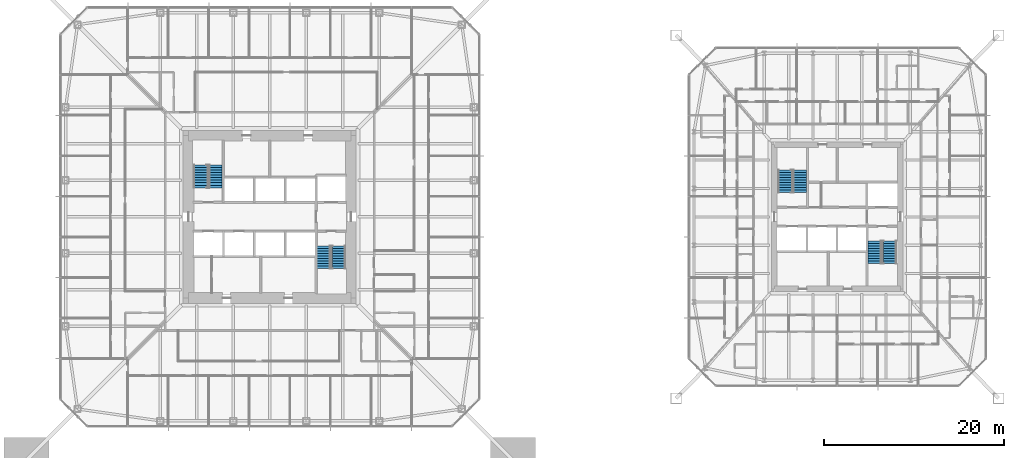
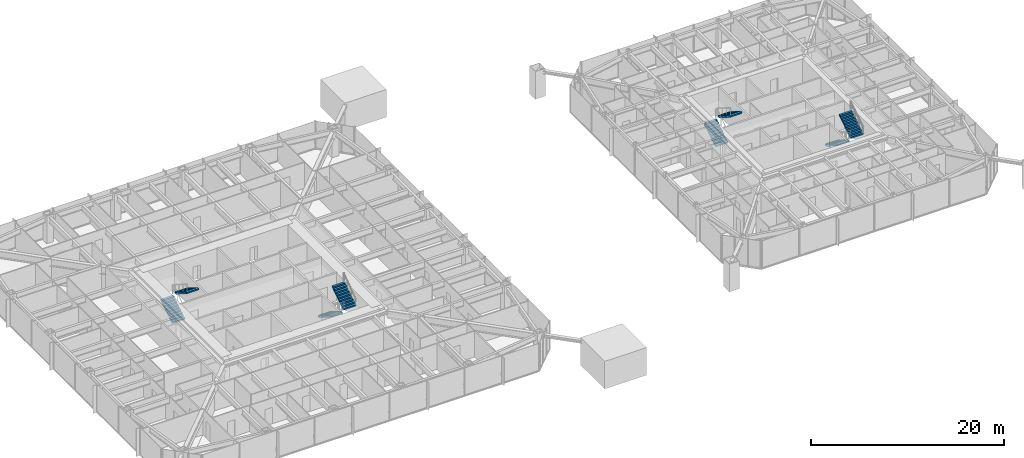
# One storey, part 22 of 26: 8 stair flights, 4 elements without a shape of their own.
"""IFC4 building model written with IfcOpenShell, lengths in metres."""

from ifc_helpers import new_model, si_unit, direction, frame, origin, place, context, subcontext, project, spatial, polyline, outline, extrude, material, constituent, constituent_set, type_object, element, aggregate, save


model = new_model("IFC4")

# Units and contexts
model_context = context("Model", 3, precision=1e-05, world=origin(), true_north=direction((0.0, 1.0)))
body_context = subcontext(model_context, "Body", "Model", "MODEL_VIEW")
ifc_project = project(units=[si_unit("LENGTHUNIT", "METRE"), si_unit("AREAUNIT", "SQUARE_METRE"), si_unit("VOLUMEUNIT", "CUBIC_METRE"), si_unit("PLANEANGLEUNIT", "RADIAN"), si_unit("MASSUNIT", "GRAM", prefix="KILO")], contexts=[model_context])

# Site, building, storey
site_placement = place(None, origin())
site = spatial("IfcSite", under=ifc_project, at=site_placement, CompositionType="ELEMENT")
building_placement = place(site_placement, origin())
building = spatial("IfcBuilding", under=site, at=building_placement, Name="Iwan Alto Co-Living Towers", CompositionType="ELEMENT")
storey_placement = place(building_placement, frame((0.0, 0.0, 22.0)))
storey = spatial("IfcBuildingStorey", under=building, at=storey_placement, Name="L05", CompositionType="ELEMENT", Elevation=22.0)

# Stair, stair flights
ifc_material_1 = material(Name="Steel ASTM A36", Category="steel")
ifc_constituent_1 = constituent(ifc_material_1, Name="Stringers", Category="LoadBearing")
ifc_material_2 = material(Name="Concrete f'c 30 MPa", Category="concrete")
ifc_constituent_2 = constituent(ifc_material_2, Name="Tread fill", Category="Finish")
ifc_constituent_set_1 = constituent_set(constituents=[ifc_constituent_1, ifc_constituent_2], Name="STAIR 3500 TWO-FLIGHT T1 CORE")
stair_type_1 = type_object("IfcStairType", Name="STAIR 3500 TWO-FLIGHT T1 CORE", PredefinedType="HALF_TURN_STAIR", material=ifc_constituent_set_1)
stair_1_placement = place(storey_placement, origin())
stair_1 = element("IfcStair", 1, at=stair_1_placement, inside=storey, type_object=stair_type_1, Name="Stair T1-S1 L05 to L06", PredefinedType="HALF_TURN_STAIR")
ifc_constituent_3 = constituent(ifc_material_1, Name="Stringers", Category="LoadBearing")
ifc_constituent_4 = constituent(ifc_material_2, Name="Tread fill", Category="Finish")
ifc_constituent_set_2 = constituent_set(constituents=[ifc_constituent_3, ifc_constituent_4], Name="STAIR FLIGHT 10 RISERS 280 GOING")
stair_flight_type = type_object("IfcStairFlightType", Name="STAIR FLIGHT 10 RISERS 280 GOING", PredefinedType="STRAIGHT", material=ifc_constituent_set_2)
stair_flight_1_placement = place(storey_placement, frame((-7.68994140625, 3.219970703125, 0.0), z_axis=(0.0, 0.0, 1.0), x_axis=(0.0, 1.0, 0.0)))
stair_flight_1 = element("IfcStairFlight", 2, at=stair_flight_1_placement, type_object=stair_flight_type, Name="T1-S1 flight 1", NumberOfRisers=10, NumberOfTreads=9, PredefinedType="STRAIGHT", RiserHeight=0.175, TreadLength=0.28, context=body_context, shape_type="SweptSolid", body=[
    extrude(outline(polyline([(0.0, 0.0), (0.0, 0.175048828125), (0.280029296875, 0.175048828125), (0.280029296875, 0.35009765625), (0.56005859375, 0.35009765625), (0.56005859375, 0.52490234375), (0.840087890625, 0.52490234375), (0.840087890625, 0.699951171875), (1.1201171875, 0.699951171875), (1.1201171875, 0.875), (1.39990234375, 0.875), (1.39990234375, 1.050048828125), (1.679931640625, 1.050048828125), (1.679931640625, 1.22509765625), (1.9599609375, 1.22509765625), (1.9599609375, 1.39990234375), (2.239990234375, 1.39990234375), (2.239990234375, 1.574951171875), (2.52001953125, 1.574951171875), (2.52001953125, 1.75), (2.52001953125, 1.398193359375), (0.28271484375, 0.0), (0.0, 0.0)])), frame((0.0, 0.739990234375, 0.0), z_axis=(0.0, -1.0, 0.0), x_axis=(1.0, 0.0, 0.0)), (0.0, 0.0, 1.0), 1.47998046875),
])
stair_flight_2_placement = place(storey_placement, frame((-6.010009765625, 5.739990234375, 1.75), z_axis=(0.0, 0.0, 1.0), x_axis=(0.0, -1.0, 0.0)))
stair_flight_2 = element("IfcStairFlight", 3, at=stair_flight_2_placement, type_object=stair_flight_type, Name="T1-S1 flight 2", NumberOfRisers=10, NumberOfTreads=9, PredefinedType="STRAIGHT", RiserHeight=0.175, TreadLength=0.28, context=body_context, shape_type="SweptSolid", body=[
    extrude(outline(polyline([(0.0, 0.0), (0.0, 0.175048828125), (0.280029296875, 0.175048828125), (0.280029296875, 0.35009765625), (0.56005859375, 0.35009765625), (0.56005859375, 0.52490234375), (0.840087890625, 0.52490234375), (0.840087890625, 0.699951171875), (1.1201171875, 0.699951171875), (1.1201171875, 0.875), (1.39990234375, 0.875), (1.39990234375, 1.050048828125), (1.679931640625, 1.050048828125), (1.679931640625, 1.22509765625), (1.9599609375, 1.22509765625), (1.9599609375, 1.39990234375), (2.239990234375, 1.39990234375), (2.239990234375, 1.574951171875), (2.52001953125, 1.574951171875), (2.52001953125, 1.75), (2.52001953125, 1.398193359375), (0.28271484375, 0.0), (0.0, 0.0)])), frame((0.0, 0.739990234375, 0.0), z_axis=(0.0, -1.0, 0.0), x_axis=(1.0, 0.0, 0.0)), (0.0, 0.0, 1.0), 1.47998046875),
])
aggregate(stair_1, [stair_flight_1, stair_flight_2])

stair_2_placement = place(storey_placement, origin())
stair_2 = element("IfcStair", 4, at=stair_2_placement, inside=storey, type_object=stair_type_1, Name="Stair T1-S2 L05 to L06", PredefinedType="HALF_TURN_STAIR")
stair_flight_3_placement = place(storey_placement, frame((6.010009765625, -3.219970703125, 0.0), z_axis=(0.0, 0.0, 1.0), x_axis=(0.0, -1.0, 0.0)))
stair_flight_3 = element("IfcStairFlight", 5, at=stair_flight_3_placement, type_object=stair_flight_type, Name="T1-S2 flight 1", NumberOfRisers=10, NumberOfTreads=9, PredefinedType="STRAIGHT", RiserHeight=0.175, TreadLength=0.28, context=body_context, shape_type="SweptSolid", body=[
    extrude(outline(polyline([(0.0, 0.0), (0.0, 0.175048828125), (0.280029296875, 0.175048828125), (0.280029296875, 0.35009765625), (0.56005859375, 0.35009765625), (0.56005859375, 0.52490234375), (0.840087890625, 0.52490234375), (0.840087890625, 0.699951171875), (1.1201171875, 0.699951171875), (1.1201171875, 0.875), (1.39990234375, 0.875), (1.39990234375, 1.050048828125), (1.679931640625, 1.050048828125), (1.679931640625, 1.22509765625), (1.9599609375, 1.22509765625), (1.9599609375, 1.39990234375), (2.239990234375, 1.39990234375), (2.239990234375, 1.574951171875), (2.52001953125, 1.574951171875), (2.52001953125, 1.75), (2.52001953125, 1.398193359375), (0.28271484375, 0.0), (0.0, 0.0)])), frame((0.0, 0.739990234375, 0.0), z_axis=(0.0, -1.0, 0.0), x_axis=(1.0, 0.0, 0.0)), (0.0, 0.0, 1.0), 1.47998046875),
])
stair_flight_4_placement = place(storey_placement, frame((7.68994140625, -5.739990234375, 1.75), z_axis=(0.0, 0.0, 1.0), x_axis=(0.0, 1.0, 0.0)))
stair_flight_4 = element("IfcStairFlight", 6, at=stair_flight_4_placement, type_object=stair_flight_type, Name="T1-S2 flight 2", NumberOfRisers=10, NumberOfTreads=9, PredefinedType="STRAIGHT", RiserHeight=0.175, TreadLength=0.28, context=body_context, shape_type="SweptSolid", body=[
    extrude(outline(polyline([(0.0, 0.0), (0.0, 0.175048828125), (0.280029296875, 0.175048828125), (0.280029296875, 0.35009765625), (0.56005859375, 0.35009765625), (0.56005859375, 0.52490234375), (0.840087890625, 0.52490234375), (0.840087890625, 0.699951171875), (1.1201171875, 0.699951171875), (1.1201171875, 0.875), (1.39990234375, 0.875), (1.39990234375, 1.050048828125), (1.679931640625, 1.050048828125), (1.679931640625, 1.22509765625), (1.9599609375, 1.22509765625), (1.9599609375, 1.39990234375), (2.239990234375, 1.39990234375), (2.239990234375, 1.574951171875), (2.52001953125, 1.574951171875), (2.52001953125, 1.75), (2.52001953125, 1.398193359375), (0.28271484375, 0.0), (0.0, 0.0)])), frame((0.0, 0.739990234375, 0.0), z_axis=(0.0, -1.0, 0.0), x_axis=(1.0, 0.0, 0.0)), (0.0, 0.0, 1.0), 1.47998046875),
])
aggregate(stair_2, [stair_flight_3, stair_flight_4])

ifc_constituent_5 = constituent(ifc_material_1, Name="Stringers", Category="LoadBearing")
ifc_constituent_6 = constituent(ifc_material_2, Name="Tread fill", Category="Finish")
ifc_constituent_set_3 = constituent_set(constituents=[ifc_constituent_5, ifc_constituent_6], Name="STAIR 3500 TWO-FLIGHT T2 CORE")
stair_type_2 = type_object("IfcStairType", Name="STAIR 3500 TWO-FLIGHT T2 CORE", PredefinedType="HALF_TURN_STAIR", material=ifc_constituent_set_3)
stair_3_placement = place(storey_placement, origin())
stair_3 = element("IfcStair", 7, at=stair_3_placement, inside=storey, type_object=stair_type_2, Name="Stair T2-S1 L05 to L06", PredefinedType="HALF_TURN_STAIR")
stair_flight_5_placement = place(storey_placement, frame((57.159912109375, 2.669921875, 0.0), z_axis=(0.0, 0.0, 1.0), x_axis=(0.0, 1.0, 0.0)))
stair_flight_5 = element("IfcStairFlight", 8, at=stair_flight_5_placement, type_object=stair_flight_type, Name="T2-S1 flight 1", NumberOfRisers=10, NumberOfTreads=9, PredefinedType="STRAIGHT", RiserHeight=0.175, TreadLength=0.28, context=body_context, shape_type="SweptSolid", body=[
    extrude(outline(polyline([(0.0, 0.0), (0.0, 0.175048828125), (0.280029296875, 0.175048828125), (0.280029296875, 0.35009765625), (0.56005859375, 0.35009765625), (0.56005859375, 0.52490234375), (0.840087890625, 0.52490234375), (0.840087890625, 0.699951171875), (1.1201171875, 0.699951171875), (1.1201171875, 0.875), (1.39990234375, 0.875), (1.39990234375, 1.050048828125), (1.679931640625, 1.050048828125), (1.679931640625, 1.22509765625), (1.9599609375, 1.22509765625), (1.9599609375, 1.39990234375), (2.239990234375, 1.39990234375), (2.239990234375, 1.574951171875), (2.52001953125, 1.574951171875), (2.52001953125, 1.75), (2.52001953125, 1.398193359375), (0.28271484375, 0.0), (0.0, 0.0)])), frame((0.0, 0.739990234375, 0.0), z_axis=(0.0, -1.0, 0.0), x_axis=(1.0, 0.0, 0.0)), (0.0, 0.0, 1.0), 1.47998046875),
])
stair_flight_6_placement = place(storey_placement, frame((58.840087890625, 5.18994140625, 1.75), z_axis=(0.0, 0.0, 1.0), x_axis=(0.0, -1.0, 0.0)))
stair_flight_6 = element("IfcStairFlight", 9, at=stair_flight_6_placement, type_object=stair_flight_type, Name="T2-S1 flight 2", NumberOfRisers=10, NumberOfTreads=9, PredefinedType="STRAIGHT", RiserHeight=0.175, TreadLength=0.28, context=body_context, shape_type="SweptSolid", body=[
    extrude(outline(polyline([(0.0, 0.0), (0.0, 0.175048828125), (0.280029296875, 0.175048828125), (0.280029296875, 0.35009765625), (0.56005859375, 0.35009765625), (0.56005859375, 0.52490234375), (0.840087890625, 0.52490234375), (0.840087890625, 0.699951171875), (1.1201171875, 0.699951171875), (1.1201171875, 0.875), (1.39990234375, 0.875), (1.39990234375, 1.050048828125), (1.679931640625, 1.050048828125), (1.679931640625, 1.22509765625), (1.9599609375, 1.22509765625), (1.9599609375, 1.39990234375), (2.239990234375, 1.39990234375), (2.239990234375, 1.574951171875), (2.52001953125, 1.574951171875), (2.52001953125, 1.75), (2.52001953125, 1.398193359375), (0.28271484375, 0.0), (0.0, 0.0)])), frame((0.0, 0.739990234375, 0.0), z_axis=(0.0, -1.0, 0.0), x_axis=(1.0, 0.0, 0.0)), (0.0, 0.0, 1.0), 1.47998046875),
])
aggregate(stair_3, [stair_flight_5, stair_flight_6])

stair_4_placement = place(storey_placement, origin())
stair_4 = element("IfcStair", 10, at=stair_4_placement, inside=storey, type_object=stair_type_2, Name="Stair T2-S2 L05 to L06", PredefinedType="HALF_TURN_STAIR")
stair_flight_7_placement = place(storey_placement, frame((67.159912109375, -2.669921875, 0.0), z_axis=(0.0, 0.0, 1.0), x_axis=(0.0, -1.0, 0.0)))
stair_flight_7 = element("IfcStairFlight", 11, at=stair_flight_7_placement, type_object=stair_flight_type, Name="T2-S2 flight 1", NumberOfRisers=10, NumberOfTreads=9, PredefinedType="STRAIGHT", RiserHeight=0.175, TreadLength=0.28, context=body_context, shape_type="SweptSolid", body=[
    extrude(outline(polyline([(0.0, 0.0), (0.0, 0.175048828125), (0.280029296875, 0.175048828125), (0.280029296875, 0.35009765625), (0.56005859375, 0.35009765625), (0.56005859375, 0.52490234375), (0.840087890625, 0.52490234375), (0.840087890625, 0.699951171875), (1.1201171875, 0.699951171875), (1.1201171875, 0.875), (1.39990234375, 0.875), (1.39990234375, 1.050048828125), (1.679931640625, 1.050048828125), (1.679931640625, 1.22509765625), (1.9599609375, 1.22509765625), (1.9599609375, 1.39990234375), (2.239990234375, 1.39990234375), (2.239990234375, 1.574951171875), (2.52001953125, 1.574951171875), (2.52001953125, 1.75), (2.52001953125, 1.398193359375), (0.28271484375, 0.0), (0.0, 0.0)])), frame((0.0, 0.739990234375, 0.0), z_axis=(0.0, -1.0, 0.0), x_axis=(1.0, 0.0, 0.0)), (0.0, 0.0, 1.0), 1.47998046875),
])
stair_flight_8_placement = place(storey_placement, frame((68.840087890625, -5.18994140625, 1.75), z_axis=(0.0, 0.0, 1.0), x_axis=(0.0, 1.0, 0.0)))
stair_flight_8 = element("IfcStairFlight", 12, at=stair_flight_8_placement, type_object=stair_flight_type, Name="T2-S2 flight 2", NumberOfRisers=10, NumberOfTreads=9, PredefinedType="STRAIGHT", RiserHeight=0.175, TreadLength=0.28, context=body_context, shape_type="SweptSolid", body=[
    extrude(outline(polyline([(0.0, 0.0), (0.0, 0.175048828125), (0.280029296875, 0.175048828125), (0.280029296875, 0.35009765625), (0.56005859375, 0.35009765625), (0.56005859375, 0.52490234375), (0.840087890625, 0.52490234375), (0.840087890625, 0.699951171875), (1.1201171875, 0.699951171875), (1.1201171875, 0.875), (1.39990234375, 0.875), (1.39990234375, 1.050048828125), (1.679931640625, 1.050048828125), (1.679931640625, 1.22509765625), (1.9599609375, 1.22509765625), (1.9599609375, 1.39990234375), (2.239990234375, 1.39990234375), (2.239990234375, 1.574951171875), (2.52001953125, 1.574951171875), (2.52001953125, 1.75), (2.52001953125, 1.398193359375), (0.28271484375, 0.0), (0.0, 0.0)])), frame((0.0, 0.739990234375, 0.0), z_axis=(0.0, -1.0, 0.0), x_axis=(1.0, 0.0, 0.0)), (0.0, 0.0, 1.0), 1.47998046875),
])
aggregate(stair_4, [stair_flight_7, stair_flight_8])

save(model, "model.ifc")
